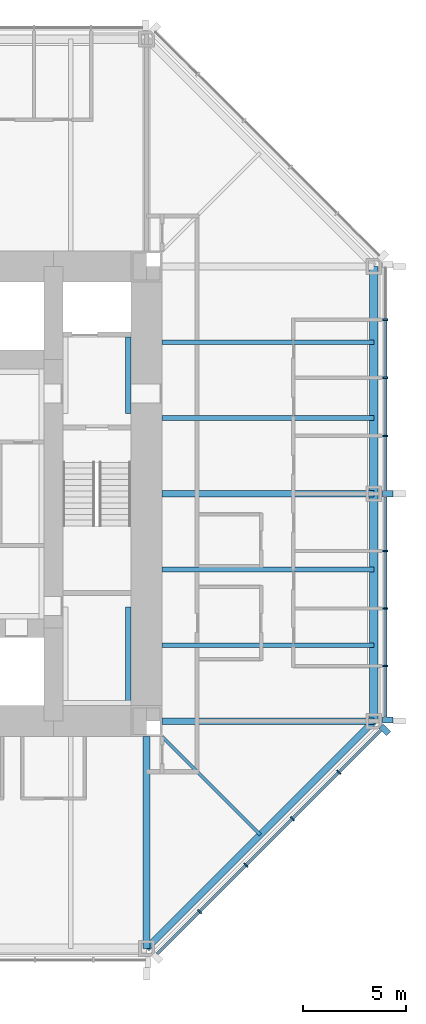
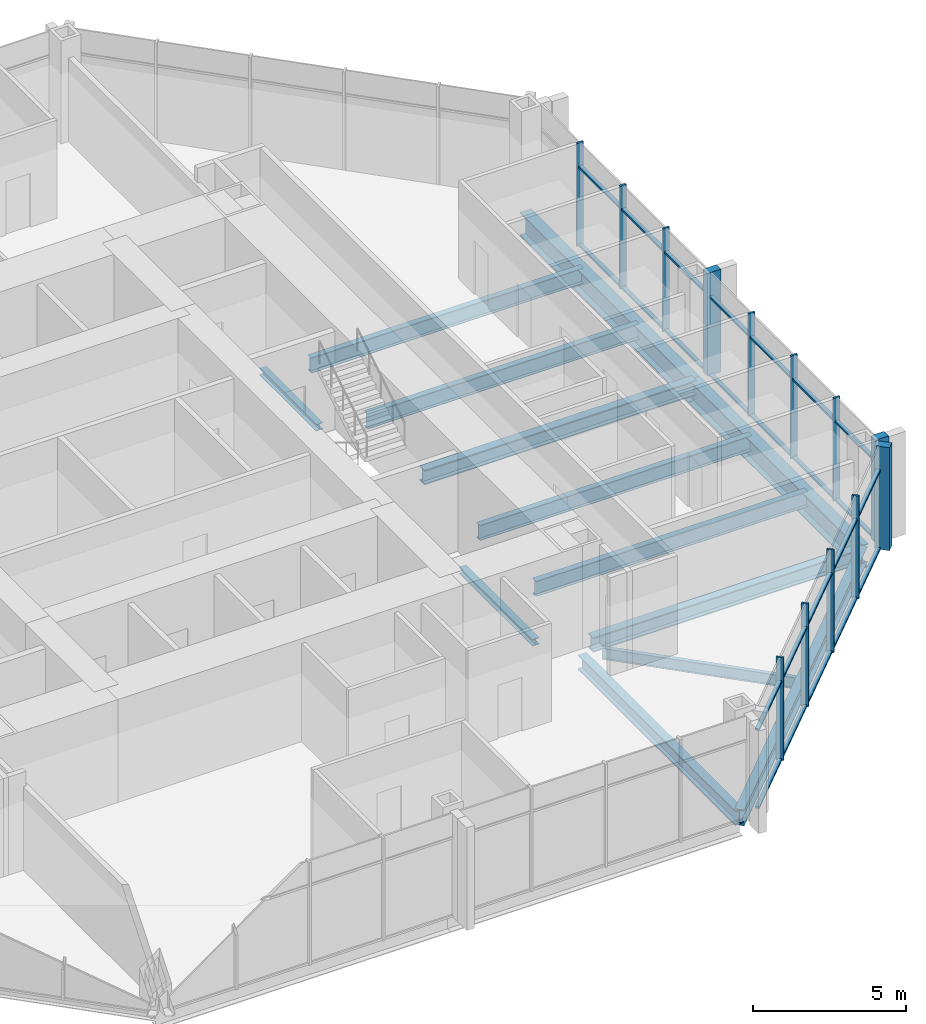
# One storey, part 4 of 14: 37 members, 13 beams, 2 elements without a shape of their own.
"""IFC4 building model written with IfcOpenShell, lengths in metres."""

from ifc_helpers import new_model, si_unit, direction, frame, origin, origin_2d, place, context, subcontext, project, spatial, rectangle, i_section, extrude, material, material_profile, profile_set, type_object, element, aggregate, save


model = new_model("IFC4")

# Units and contexts
model_context = context("Model", 3, precision=1e-05, world=origin(), true_north=direction((0.0, 1.0)))
body_context = subcontext(model_context, "Body", "Model", "MODEL_VIEW")
ifc_project = project(units=[si_unit("LENGTHUNIT", "METRE"), si_unit("AREAUNIT", "SQUARE_METRE"), si_unit("VOLUMEUNIT", "CUBIC_METRE"), si_unit("PLANEANGLEUNIT", "RADIAN"), si_unit("MASSUNIT", "GRAM", prefix="KILO")], contexts=[model_context])

# Site, building, storey
site_placement = place(None, origin())
site = spatial("IfcSite", under=ifc_project, at=site_placement, CompositionType="ELEMENT")
building_placement = place(site_placement, origin())
building = spatial("IfcBuilding", under=site, at=building_placement, Name="Trevanion Tower", CompositionType="ELEMENT")
storey_placement = place(building_placement, frame((0.0, 0.0, 100.800048828125)))
storey = spatial("IfcBuildingStorey", under=building, at=storey_placement, Name="L23", CompositionType="ELEMENT", Elevation=100.800048828125)

# Beams
ifc_material_1 = material(Name="Steel ASTM A992 Grade 50", Category="steel")
ifc_material_profile_1 = material_profile(ifc_material_1, i_section(OverallWidth=0.22900390625, OverallDepth=0.612060546875, WebThickness=0.011962890625, FlangeThickness=0.01953125, at=origin_2d()), Name="W24X84")
ifc_profile_set_1 = profile_set([ifc_material_profile_1], Name="Steel ASTM A992 Grade 50")
beam_type_1 = type_object("IfcBeamType", Name="B7 W24X84", PredefinedType="BEAM", material=ifc_profile_set_1)
for number, where, z_axis, x_axis, name in (
    (1, (11.75, -7.333251953125, -0.49609375), (1.0, 0.0, 0.0), (0.0, 1.0, 0.0), "B7 L23"),
    (2, (11.75, -3.666748046875, -0.49609375), (1.0, 0.0, 0.0), (0.0, 1.0, 0.0), "B7 L23"),
    (3, (11.75, 3.666748046875, -0.49609375), (1.0, 0.0, 0.0), (0.0, 1.0, 0.0), "B7 L23"),
    (4, (11.75, 7.333251953125, -0.49609375), (1.0, 0.0, 0.0), (0.0, 1.0, 0.0), "B7 L23"),
):
    element("IfcBeam", number, at=place(storey_placement, frame(where, z_axis=z_axis, x_axis=x_axis)), inside=storey, type_object=beam_type_1, Name=name, PredefinedType="BEAM", context=body_context, shape_type="SweptSolid", body=[
        extrude(i_section(OverallWidth=0.22900390625, OverallDepth=0.612060546875, WebThickness=0.011962890625, FlangeThickness=0.01953125, at=origin_2d()), origin(), (0.0, 0.0, 1.0), 10.25),
    ])
ifc_material_2 = material(Name="Steel ASTM A992 Grade 50", Category="steel")
ifc_material_profile_2 = material_profile(ifc_material_2, i_section(OverallWidth=0.15234375, OverallDepth=0.449462890625, WebThickness=0.007568359375, FlangeThickness=0.0107421875, at=origin_2d()), Name="W18X35")
ifc_profile_set_2 = profile_set([ifc_material_profile_2], Name="Steel ASTM A992 Grade 50")
beam_type_2 = type_object("IfcBeamType", Name="B8 W18X35", PredefinedType="BEAM", material=ifc_profile_set_2)
beam_1_placement = place(storey_placement, frame((11.75, -11.75, -0.414794921875), z_axis=(0.707106781187, -0.707106781187, 0.0), x_axis=(0.707106781187, 0.707106781187, 0.0)))
element("IfcBeam", 5, at=beam_1_placement, inside=storey, type_object=beam_type_2, Name="B8 L23", PredefinedType="BEAM", context=body_context, shape_type="SweptSolid", body=[
    extrude(i_section(OverallWidth=0.15234375, OverallDepth=0.449462890625, WebThickness=0.007568359375, FlangeThickness=0.0107421875, at=origin_2d()), origin(), (0.0, 0.0, 1.0), 6.717529296875),
])

# Curtain wall, members
ifc_material_3 = material(Name="Aluminium and glass", Category="aluminium")
curtain_wall_type = type_object("IfcCurtainWallType", Name="CW2 curtain wall", PredefinedType="USERDEFINED", material=ifc_material_3)
curtain_wall_1_placement = place(storey_placement, origin())
curtain_wall_1 = element("IfcCurtainWall", 6, at=curtain_wall_1_placement, inside=storey, type_object=curtain_wall_type, Name="CW2 L23 0", ObjectType="UNITISED CURTAIN WALL", PredefinedType="USERDEFINED")
ifc_material_4 = material(Name="Aluminium extrusion, anodised bronze", Category="aluminium")
ifc_material_profile_3 = material_profile(ifc_material_4, rectangle(XDim=0.074951171875, YDim=0.25, at=origin_2d()), Name="CW2 mullion")
ifc_profile_set_3 = profile_set([ifc_material_profile_3], Name="Aluminium extrusion, anodised bronze")
member_type_1 = type_object("IfcMemberType", Name="CW2 mullion", PredefinedType="MULLION", material=ifc_profile_set_3)
member_1_placement = place(storey_placement, frame((22.550048828125, -8.323486328125, -0.18994140625), z_axis=(0.0, 0.0, 1.0), x_axis=(0.0, 1.0, 0.0)))
member_1 = element("IfcMember", 7, at=member_1_placement, type_object=member_type_1, Name="CW2 mullion 2", PredefinedType="MULLION", context=body_context, shape_type="SweptSolid", body=[
    extrude(rectangle(XDim=0.074951171875, YDim=0.25, at=origin_2d()), origin(), (0.0, 0.0, 1.0), 4.099853515625),
])
member_2_placement = place(storey_placement, frame((22.550048828125, -5.548828125, -0.18994140625), z_axis=(0.0, 0.0, 1.0), x_axis=(0.0, 1.0, 0.0)))
member_2 = element("IfcMember", 8, at=member_2_placement, type_object=member_type_1, Name="CW2 mullion 3", PredefinedType="MULLION", context=body_context, shape_type="SweptSolid", body=[
    extrude(rectangle(XDim=0.074951171875, YDim=0.25, at=origin_2d()), origin(), (0.0, 0.0, 1.0), 4.099853515625),
])
member_3_placement = place(storey_placement, frame((22.550048828125, -2.7744140625, -0.18994140625), z_axis=(0.0, 0.0, 1.0), x_axis=(0.0, 1.0, 0.0)))
member_3 = element("IfcMember", 9, at=member_3_placement, type_object=member_type_1, Name="CW2 mullion 4", PredefinedType="MULLION", context=body_context, shape_type="SweptSolid", body=[
    extrude(rectangle(XDim=0.074951171875, YDim=0.25, at=origin_2d()), origin(), (0.0, 0.0, 1.0), 4.099853515625),
])
member_4_placement = place(storey_placement, frame((22.550048828125, 2.806884765625, -0.18994140625), z_axis=(0.0, 0.0, 1.0), x_axis=(0.0, 1.0, 0.0)))
member_4 = element("IfcMember", 10, at=member_4_placement, type_object=member_type_1, Name="CW2 mullion 6", PredefinedType="MULLION", context=body_context, shape_type="SweptSolid", body=[
    extrude(rectangle(XDim=0.074951171875, YDim=0.25, at=origin_2d()), origin(), (0.0, 0.0, 1.0), 4.099853515625),
])
member_5_placement = place(storey_placement, frame((22.550048828125, 5.614013671875, -0.18994140625), z_axis=(0.0, 0.0, 1.0), x_axis=(0.0, 1.0, 0.0)))
member_5 = element("IfcMember", 11, at=member_5_placement, type_object=member_type_1, Name="CW2 mullion 7", PredefinedType="MULLION", context=body_context, shape_type="SweptSolid", body=[
    extrude(rectangle(XDim=0.074951171875, YDim=0.25, at=origin_2d()), origin(), (0.0, 0.0, 1.0), 4.099853515625),
])
member_6_placement = place(storey_placement, frame((22.550048828125, 8.4208984375, -0.18994140625), z_axis=(0.0, 0.0, 1.0), x_axis=(0.0, 1.0, 0.0)))
member_6 = element("IfcMember", 12, at=member_6_placement, type_object=member_type_1, Name="CW2 mullion 8", PredefinedType="MULLION", context=body_context, shape_type="SweptSolid", body=[
    extrude(rectangle(XDim=0.074951171875, YDim=0.25, at=origin_2d()), origin(), (0.0, 0.0, 1.0), 4.099853515625),
])

curtain_wall_2_placement = place(storey_placement, origin())
curtain_wall_2 = element("IfcCurtainWall", 13, at=curtain_wall_2_placement, inside=storey, type_object=curtain_wall_type, Name="CW2 L23 7", ObjectType="UNITISED CURTAIN WALL", PredefinedType="USERDEFINED")
member_7_placement = place(storey_placement, frame((13.56591796875, -20.2119140625, -0.18994140625), z_axis=(0.0, 0.0, 1.0), x_axis=(0.707106781187, 0.707106781187, 0.0)))
member_7 = element("IfcMember", 14, at=member_7_placement, type_object=member_type_1, Name="CW2 mullion 2", PredefinedType="MULLION", context=body_context, shape_type="SweptSolid", body=[
    extrude(rectangle(XDim=0.074951171875, YDim=0.25, at=origin_2d()), origin(), (0.0, 0.0, 1.0), 4.099853515625),
])
member_8_placement = place(storey_placement, frame((15.811767578125, -17.966064453125, -0.18994140625), z_axis=(0.0, 0.0, 1.0), x_axis=(0.707106781187, 0.707106781187, 0.0)))
member_8 = element("IfcMember", 15, at=member_8_placement, type_object=member_type_1, Name="CW2 mullion 3", PredefinedType="MULLION", context=body_context, shape_type="SweptSolid", body=[
    extrude(rectangle(XDim=0.074951171875, YDim=0.25, at=origin_2d()), origin(), (0.0, 0.0, 1.0), 4.099853515625),
])
member_9_placement = place(storey_placement, frame((18.057861328125, -15.719970703125, -0.18994140625), z_axis=(0.0, 0.0, 1.0), x_axis=(0.707106781187, 0.707106781187, 0.0)))
member_9 = element("IfcMember", 16, at=member_9_placement, type_object=member_type_1, Name="CW2 mullion 4", PredefinedType="MULLION", context=body_context, shape_type="SweptSolid", body=[
    extrude(rectangle(XDim=0.074951171875, YDim=0.25, at=origin_2d()), origin(), (0.0, 0.0, 1.0), 4.099853515625),
])
member_10_placement = place(storey_placement, frame((20.303955078125, -13.473876953125, -0.18994140625), z_axis=(0.0, 0.0, 1.0), x_axis=(0.707106781187, 0.707106781187, 0.0)))
member_10 = element("IfcMember", 17, at=member_10_placement, type_object=member_type_1, Name="CW2 mullion 5", PredefinedType="MULLION", context=body_context, shape_type="SweptSolid", body=[
    extrude(rectangle(XDim=0.074951171875, YDim=0.25, at=origin_2d()), origin(), (0.0, 0.0, 1.0), 4.099853515625),
])

# Member
ifc_material_5 = material(Name="Aluminium extrusion, anodised bronze", Category="aluminium")
ifc_material_profile_4 = material_profile(ifc_material_5, rectangle(XDim=0.300048828125, YDim=0.5, at=origin_2d()), Name="CW2 pier mullion")
ifc_profile_set_4 = profile_set([ifc_material_profile_4], Name="Aluminium extrusion, anodised bronze")
member_type_2 = type_object("IfcMemberType", Name="CW2 pier mullion", PredefinedType="MULLION", material=ifc_profile_set_4)
member_11_placement = place(storey_placement, frame((22.675048828125, -10.94775390625, -0.18994140625), z_axis=(0.0, 0.0, 1.0), x_axis=(0.0, 1.0, 0.0)))
member_11 = element("IfcMember", 18, at=member_11_placement, type_object=member_type_2, Name="CW2 pier mullion 1", PredefinedType="MULLION", context=body_context, shape_type="SweptSolid", body=[
    extrude(rectangle(XDim=0.300048828125, YDim=0.5, at=origin_2d()), origin(), (0.0, 0.0, 1.0), 4.099853515625),
])

member_12_placement = place(storey_placement, frame((22.675048828125, 0.0, -0.18994140625), z_axis=(0.0, 0.0, 1.0), x_axis=(0.0, 1.0, 0.0)))
member_12 = element("IfcMember", 19, at=member_12_placement, type_object=member_type_2, Name="CW2 pier mullion 5", PredefinedType="MULLION", context=body_context, shape_type="SweptSolid", body=[
    extrude(rectangle(XDim=0.300048828125, YDim=0.5, at=origin_2d()), origin(), (0.0, 0.0, 1.0), 4.099853515625),
])

member_13_placement = place(storey_placement, frame((22.5322265625, -11.42236328125, -0.18994140625), z_axis=(0.0, 0.0, 1.0), x_axis=(0.707106781187, 0.707106781187, 0.0)))
member_13 = element("IfcMember", 20, at=member_13_placement, type_object=member_type_2, Name="CW2 pier mullion 6", PredefinedType="MULLION", context=body_context, shape_type="SweptSolid", body=[
    extrude(rectangle(XDim=0.300048828125, YDim=0.5, at=origin_2d()), origin(), (0.0, 0.0, 1.0), 4.099853515625),
])

ifc_material_6 = material(Name="Aluminium extrusion, anodised bronze", Category="aluminium")
ifc_material_profile_5 = material_profile(ifc_material_6, rectangle(XDim=0.14990234375, YDim=0.074951171875, at=origin_2d()), Name="CW2 transom")
ifc_profile_set_5 = profile_set([ifc_material_profile_5], Name="Aluminium extrusion, anodised bronze")
member_type_3 = type_object("IfcMemberType", Name="CW2 transom", PredefinedType="USERDEFINED", material=ifc_profile_set_5)
member_14_placement = place(storey_placement, frame((22.550048828125, -10.7978515625, -0.152587890625), z_axis=(0.0, 1.0, 0.0), x_axis=(-1.0, 0.0, 0.0)))
member_14 = element("IfcMember", 21, at=member_14_placement, type_object=member_type_3, Name="CW2 transom 1.1", ObjectType="TRANSOM", PredefinedType="USERDEFINED", context=body_context, shape_type="SweptSolid", body=[
    extrude(rectangle(XDim=0.14990234375, YDim=0.074951171875, at=origin_2d()), origin(), (0.0, 0.0, 1.0), 2.43701171875),
])

member_15_placement = place(storey_placement, frame((22.550048828125, -10.7978515625, 2.9599609375), z_axis=(0.0, 1.0, 0.0), x_axis=(-1.0, 0.0, 0.0)))
member_15 = element("IfcMember", 22, at=member_15_placement, type_object=member_type_3, Name="CW2 transom 1.2", ObjectType="TRANSOM", PredefinedType="USERDEFINED", context=body_context, shape_type="SweptSolid", body=[
    extrude(rectangle(XDim=0.14990234375, YDim=0.074951171875, at=origin_2d()), origin(), (0.0, 0.0, 1.0), 2.43701171875),
])

member_16_placement = place(storey_placement, frame((22.550048828125, -8.285888671875, -0.152587890625), z_axis=(0.0, 1.0, 0.0), x_axis=(-1.0, 0.0, 0.0)))
member_16 = element("IfcMember", 23, at=member_16_placement, type_object=member_type_3, Name="CW2 transom 2.1", ObjectType="TRANSOM", PredefinedType="USERDEFINED", context=body_context, shape_type="SweptSolid", body=[
    extrude(rectangle(XDim=0.14990234375, YDim=0.074951171875, at=origin_2d()), origin(), (0.0, 0.0, 1.0), 2.699462890625),
])

member_17_placement = place(storey_placement, frame((22.550048828125, -8.285888671875, 2.9599609375), z_axis=(0.0, 1.0, 0.0), x_axis=(-1.0, 0.0, 0.0)))
member_17 = element("IfcMember", 24, at=member_17_placement, type_object=member_type_3, Name="CW2 transom 2.2", ObjectType="TRANSOM", PredefinedType="USERDEFINED", context=body_context, shape_type="SweptSolid", body=[
    extrude(rectangle(XDim=0.14990234375, YDim=0.074951171875, at=origin_2d()), origin(), (0.0, 0.0, 1.0), 2.699462890625),
])

member_18_placement = place(storey_placement, frame((22.550048828125, -5.511474609375, -0.152587890625), z_axis=(0.0, 1.0, 0.0), x_axis=(-1.0, 0.0, 0.0)))
member_18 = element("IfcMember", 25, at=member_18_placement, type_object=member_type_3, Name="CW2 transom 3.1", ObjectType="TRANSOM", PredefinedType="USERDEFINED", context=body_context, shape_type="SweptSolid", body=[
    extrude(rectangle(XDim=0.14990234375, YDim=0.074951171875, at=origin_2d()), origin(), (0.0, 0.0, 1.0), 2.699462890625),
])

member_19_placement = place(storey_placement, frame((22.550048828125, -5.511474609375, 2.9599609375), z_axis=(0.0, 1.0, 0.0), x_axis=(-1.0, 0.0, 0.0)))
member_19 = element("IfcMember", 26, at=member_19_placement, type_object=member_type_3, Name="CW2 transom 3.2", ObjectType="TRANSOM", PredefinedType="USERDEFINED", context=body_context, shape_type="SweptSolid", body=[
    extrude(rectangle(XDim=0.14990234375, YDim=0.074951171875, at=origin_2d()), origin(), (0.0, 0.0, 1.0), 2.699462890625),
])

member_20_placement = place(storey_placement, frame((22.550048828125, -2.737060546875, -0.152587890625), z_axis=(0.0, 1.0, 0.0), x_axis=(-1.0, 0.0, 0.0)))
member_20 = element("IfcMember", 27, at=member_20_placement, type_object=member_type_3, Name="CW2 transom 4.1", ObjectType="TRANSOM", PredefinedType="USERDEFINED", context=body_context, shape_type="SweptSolid", body=[
    extrude(rectangle(XDim=0.14990234375, YDim=0.074951171875, at=origin_2d()), origin(), (0.0, 0.0, 1.0), 2.587158203125),
])

member_21_placement = place(storey_placement, frame((22.550048828125, -2.737060546875, 2.9599609375), z_axis=(0.0, 1.0, 0.0), x_axis=(-1.0, 0.0, 0.0)))
member_21 = element("IfcMember", 28, at=member_21_placement, type_object=member_type_3, Name="CW2 transom 4.2", ObjectType="TRANSOM", PredefinedType="USERDEFINED", context=body_context, shape_type="SweptSolid", body=[
    extrude(rectangle(XDim=0.14990234375, YDim=0.074951171875, at=origin_2d()), origin(), (0.0, 0.0, 1.0), 2.587158203125),
])

member_22_placement = place(storey_placement, frame((22.550048828125, 0.14990234375, -0.152587890625), z_axis=(0.0, 1.0, 0.0), x_axis=(-1.0, 0.0, 0.0)))
member_22 = element("IfcMember", 29, at=member_22_placement, type_object=member_type_3, Name="CW2 transom 5.1", ObjectType="TRANSOM", PredefinedType="USERDEFINED", context=body_context, shape_type="SweptSolid", body=[
    extrude(rectangle(XDim=0.14990234375, YDim=0.074951171875, at=origin_2d()), origin(), (0.0, 0.0, 1.0), 2.619384765625),
])

member_23_placement = place(storey_placement, frame((22.550048828125, 0.14990234375, 2.9599609375), z_axis=(0.0, 1.0, 0.0), x_axis=(-1.0, 0.0, 0.0)))
member_23 = element("IfcMember", 30, at=member_23_placement, type_object=member_type_3, Name="CW2 transom 5.2", ObjectType="TRANSOM", PredefinedType="USERDEFINED", context=body_context, shape_type="SweptSolid", body=[
    extrude(rectangle(XDim=0.14990234375, YDim=0.074951171875, at=origin_2d()), origin(), (0.0, 0.0, 1.0), 2.619384765625),
])

member_24_placement = place(storey_placement, frame((22.550048828125, 2.844482421875, -0.152587890625), z_axis=(0.0, 1.0, 0.0), x_axis=(-1.0, 0.0, 0.0)))
member_24 = element("IfcMember", 31, at=member_24_placement, type_object=member_type_3, Name="CW2 transom 6.1", ObjectType="TRANSOM", PredefinedType="USERDEFINED", context=body_context, shape_type="SweptSolid", body=[
    extrude(rectangle(XDim=0.14990234375, YDim=0.074951171875, at=origin_2d()), origin(), (0.0, 0.0, 1.0), 2.73193359375),
])

member_25_placement = place(storey_placement, frame((22.550048828125, 2.844482421875, 2.9599609375), z_axis=(0.0, 1.0, 0.0), x_axis=(-1.0, 0.0, 0.0)))
member_25 = element("IfcMember", 32, at=member_25_placement, type_object=member_type_3, Name="CW2 transom 6.2", ObjectType="TRANSOM", PredefinedType="USERDEFINED", context=body_context, shape_type="SweptSolid", body=[
    extrude(rectangle(XDim=0.14990234375, YDim=0.074951171875, at=origin_2d()), origin(), (0.0, 0.0, 1.0), 2.73193359375),
])

member_26_placement = place(storey_placement, frame((22.550048828125, 5.6513671875, -0.152587890625), z_axis=(0.0, 1.0, 0.0), x_axis=(-1.0, 0.0, 0.0)))
member_26 = element("IfcMember", 33, at=member_26_placement, type_object=member_type_3, Name="CW2 transom 7.1", ObjectType="TRANSOM", PredefinedType="USERDEFINED", context=body_context, shape_type="SweptSolid", body=[
    extrude(rectangle(XDim=0.14990234375, YDim=0.074951171875, at=origin_2d()), origin(), (0.0, 0.0, 1.0), 2.73193359375),
])

member_27_placement = place(storey_placement, frame((22.550048828125, 5.6513671875, 2.9599609375), z_axis=(0.0, 1.0, 0.0), x_axis=(-1.0, 0.0, 0.0)))
member_27 = element("IfcMember", 34, at=member_27_placement, type_object=member_type_3, Name="CW2 transom 7.2", ObjectType="TRANSOM", PredefinedType="USERDEFINED", context=body_context, shape_type="SweptSolid", body=[
    extrude(rectangle(XDim=0.14990234375, YDim=0.074951171875, at=origin_2d()), origin(), (0.0, 0.0, 1.0), 2.73193359375),
])

aggregate(curtain_wall_1, [member_11, member_1, member_2, member_3, member_12, member_4, member_5, member_6, member_14, member_15, member_16, member_17, member_18, member_19, member_20, member_21, member_22, member_23, member_24, member_25, member_26, member_27])

member_28_placement = place(storey_placement, frame((11.531982421875, -22.245849609375, -0.152587890625), z_axis=(0.707106781187, 0.707106781187, 0.0), x_axis=(-0.707106781187, 0.707106781187, 0.0)))
member_28 = element("IfcMember", 35, at=member_28_placement, type_object=member_type_3, Name="CW2 transom 1.1", ObjectType="TRANSOM", PredefinedType="USERDEFINED", context=body_context, shape_type="SweptSolid", body=[
    extrude(rectangle(XDim=0.14990234375, YDim=0.074951171875, at=origin_2d()), origin(), (0.0, 0.0, 1.0), 2.8388671875),
])

member_29_placement = place(storey_placement, frame((11.531982421875, -22.245849609375, 2.9599609375), z_axis=(0.707106781187, 0.707106781187, 0.0), x_axis=(-0.707106781187, 0.707106781187, 0.0)))
member_29 = element("IfcMember", 36, at=member_29_placement, type_object=member_type_3, Name="CW2 transom 1.2", ObjectType="TRANSOM", PredefinedType="USERDEFINED", context=body_context, shape_type="SweptSolid", body=[
    extrude(rectangle(XDim=0.14990234375, YDim=0.074951171875, at=origin_2d()), origin(), (0.0, 0.0, 1.0), 2.8388671875),
])

member_30_placement = place(storey_placement, frame((13.59228515625, -20.185546875, -0.152587890625), z_axis=(0.707106781187, 0.707106781187, 0.0), x_axis=(-0.707106781187, 0.707106781187, 0.0)))
member_30 = element("IfcMember", 37, at=member_30_placement, type_object=member_type_3, Name="CW2 transom 2.1", ObjectType="TRANSOM", PredefinedType="USERDEFINED", context=body_context, shape_type="SweptSolid", body=[
    extrude(rectangle(XDim=0.14990234375, YDim=0.074951171875, at=origin_2d()), origin(), (0.0, 0.0, 1.0), 3.1015625),
])

member_31_placement = place(storey_placement, frame((13.59228515625, -20.185546875, 2.9599609375), z_axis=(0.707106781187, 0.707106781187, 0.0), x_axis=(-0.707106781187, 0.707106781187, 0.0)))
member_31 = element("IfcMember", 38, at=member_31_placement, type_object=member_type_3, Name="CW2 transom 2.2", ObjectType="TRANSOM", PredefinedType="USERDEFINED", context=body_context, shape_type="SweptSolid", body=[
    extrude(rectangle(XDim=0.14990234375, YDim=0.074951171875, at=origin_2d()), origin(), (0.0, 0.0, 1.0), 3.1015625),
])

member_32_placement = place(storey_placement, frame((15.83837890625, -17.939453125, -0.152587890625), z_axis=(0.707106781187, 0.707106781187, 0.0), x_axis=(-0.707106781187, 0.707106781187, 0.0)))
member_32 = element("IfcMember", 39, at=member_32_placement, type_object=member_type_3, Name="CW2 transom 3.1", ObjectType="TRANSOM", PredefinedType="USERDEFINED", context=body_context, shape_type="SweptSolid", body=[
    extrude(rectangle(XDim=0.14990234375, YDim=0.074951171875, at=origin_2d()), origin(), (0.0, 0.0, 1.0), 3.1015625),
])

member_33_placement = place(storey_placement, frame((15.83837890625, -17.939453125, 2.9599609375), z_axis=(0.707106781187, 0.707106781187, 0.0), x_axis=(-0.707106781187, 0.707106781187, 0.0)))
member_33 = element("IfcMember", 40, at=member_33_placement, type_object=member_type_3, Name="CW2 transom 3.2", ObjectType="TRANSOM", PredefinedType="USERDEFINED", context=body_context, shape_type="SweptSolid", body=[
    extrude(rectangle(XDim=0.14990234375, YDim=0.074951171875, at=origin_2d()), origin(), (0.0, 0.0, 1.0), 3.1015625),
])

member_34_placement = place(storey_placement, frame((18.08447265625, -15.693359375, -0.152587890625), z_axis=(0.707106781187, 0.707106781187, 0.0), x_axis=(-0.707106781187, 0.707106781187, 0.0)))
member_34 = element("IfcMember", 41, at=member_34_placement, type_object=member_type_3, Name="CW2 transom 4.1", ObjectType="TRANSOM", PredefinedType="USERDEFINED", context=body_context, shape_type="SweptSolid", body=[
    extrude(rectangle(XDim=0.14990234375, YDim=0.074951171875, at=origin_2d()), origin(), (0.0, 0.0, 1.0), 3.10107421875),
])

member_35_placement = place(storey_placement, frame((18.08447265625, -15.693359375, 2.9599609375), z_axis=(0.707106781187, 0.707106781187, 0.0), x_axis=(-0.707106781187, 0.707106781187, 0.0)))
member_35 = element("IfcMember", 42, at=member_35_placement, type_object=member_type_3, Name="CW2 transom 4.2", ObjectType="TRANSOM", PredefinedType="USERDEFINED", context=body_context, shape_type="SweptSolid", body=[
    extrude(rectangle(XDim=0.14990234375, YDim=0.074951171875, at=origin_2d()), origin(), (0.0, 0.0, 1.0), 3.10107421875),
])

member_36_placement = place(storey_placement, frame((20.33056640625, -13.447509765625, -0.152587890625), z_axis=(0.707063781595, 0.707149778163, 0.0), x_axis=(-0.707149778163, 0.707063781595, 0.0)))
member_36 = element("IfcMember", 43, at=member_36_placement, type_object=member_type_3, Name="CW2 transom 5.1", ObjectType="TRANSOM", PredefinedType="USERDEFINED", context=body_context, shape_type="SweptSolid", body=[
    extrude(rectangle(XDim=0.14990234375, YDim=0.074951171875, at=origin_2d()), origin(), (0.0, 0.0, 1.0), 2.8388671875),
])

member_37_placement = place(storey_placement, frame((20.33056640625, -13.447509765625, 2.9599609375), z_axis=(0.707063781595, 0.707149778163, 0.0), x_axis=(-0.707149778163, 0.707063781595, 0.0)))
member_37 = element("IfcMember", 44, at=member_37_placement, type_object=member_type_3, Name="CW2 transom 5.2", ObjectType="TRANSOM", PredefinedType="USERDEFINED", context=body_context, shape_type="SweptSolid", body=[
    extrude(rectangle(XDim=0.14990234375, YDim=0.074951171875, at=origin_2d()), origin(), (0.0, 0.0, 1.0), 2.8388671875),
])

aggregate(curtain_wall_2, [member_7, member_8, member_9, member_10, member_13, member_28, member_29, member_30, member_31, member_32, member_33, member_34, member_35, member_36, member_37])

# Beams
ifc_material_7 = material(Name="Steel ASTM A992 Grade 50", Category="steel")
ifc_material_profile_6 = material_profile(ifc_material_7, i_section(OverallWidth=0.320068359375, OverallDepth=0.584228515625, WebThickness=0.023193359375, FlangeThickness=0.04150390625, at=origin_2d()), Name="W21X201")
ifc_profile_set_6 = profile_set([ifc_material_profile_6], Name="Steel ASTM A992 Grade 50")
beam_type_3 = type_object("IfcBeamType", Name="G4 W21X201", PredefinedType="BEAM", material=ifc_profile_set_6)
for number, where, z_axis, x_axis, name in (
    (45, (11.75, -11.0, -0.482177734375), (1.0, 0.0, 0.0), (0.0, 1.0, 0.0), "G4 L23"),
    (46, (11.75, 0.0, -0.482177734375), (1.0, 0.0, 0.0), (0.0, 1.0, 0.0), "G4 L23"),
    (47, (11.0, -11.75, -0.482177734375), (0.0, -1.0, 0.0), (1.0, 0.0, 0.0), "G4 L23"),
):
    element("IfcBeam", number, at=place(storey_placement, frame(where, z_axis=z_axis, x_axis=x_axis)), inside=storey, type_object=beam_type_3, Name=name, PredefinedType="BEAM", context=body_context, shape_type="SweptSolid", body=[
        extrude(i_section(OverallWidth=0.320068359375, OverallDepth=0.584228515625, WebThickness=0.023193359375, FlangeThickness=0.04150390625, at=origin_2d()), origin(), (0.0, 0.0, 1.0), 10.25),
    ])
ifc_material_8 = material(Name="Steel ASTM A992 Grade 50", Category="steel")
ifc_material_profile_7 = material_profile(ifc_material_8, i_section(OverallWidth=0.256591796875, OverallDepth=0.26416015625, WebThickness=0.011962890625, FlangeThickness=0.01953125, at=origin_2d()), Name="W10X68")
ifc_profile_set_7 = profile_set([ifc_material_profile_7], Name="Steel ASTM A992 Grade 50")
beam_type_4 = type_object("IfcBeamType", Name="LB1 W10X68", PredefinedType="BEAM", material=ifc_profile_set_7)
beam_2_placement = place(storey_placement, frame((10.12158203125, 3.875, -0.33203125), z_axis=(0.0, 1.0, 0.0), x_axis=(-1.0, 0.0, 0.0)))
element("IfcBeam", 48, at=beam_2_placement, inside=storey, type_object=beam_type_4, Name="LB1 L23", PredefinedType="BEAM", context=body_context, shape_type="SweptSolid", body=[
    extrude(i_section(OverallWidth=0.256591796875, OverallDepth=0.26416015625, WebThickness=0.011962890625, FlangeThickness=0.01953125, at=origin_2d()), origin(), (0.0, 0.0, 1.0), 3.699951171875),
])
beam_3_placement = place(storey_placement, frame((10.12158203125, -10.25, -0.33203125), z_axis=(0.0, 1.0, 0.0), x_axis=(-1.0, 0.0, 0.0)))
element("IfcBeam", 49, at=beam_3_placement, inside=storey, type_object=beam_type_4, Name="LB1 L23", PredefinedType="BEAM", context=body_context, shape_type="SweptSolid", body=[
    extrude(i_section(OverallWidth=0.256591796875, OverallDepth=0.26416015625, WebThickness=0.011962890625, FlangeThickness=0.01953125, at=origin_2d()), origin(), (0.0, 0.0, 1.0), 4.77490234375),
])
ifc_material_9 = material(Name="Steel ASTM A992 Grade 50", Category="steel")
ifc_material_profile_8 = material_profile(ifc_material_9, i_section(OverallWidth=0.419189453125, OverallDepth=0.927001953125, WebThickness=0.019287109375, FlangeThickness=0.031982421875, at=origin_2d()), Name="W36X231")
ifc_profile_set_8 = profile_set([ifc_material_profile_8], Name="Steel ASTM A992 Grade 50")
beam_type_5 = type_object("IfcBeamType", Name="SB4 W36X231", PredefinedType="SPANDREL", material=ifc_profile_set_8)
for number, where, z_axis, x_axis, name in (
    (50, (22.0, -11.0, -0.653564453125), (0.0, 1.0, 0.0), (-1.0, 0.0, 0.0), "SB4 L23"),
    (51, (22.0, 0.0, -0.653564453125), (0.0, 1.0, 0.0), (-1.0, 0.0, 0.0), "SB4 L23"),
):
    element("IfcBeam", number, at=place(storey_placement, frame(where, z_axis=z_axis, x_axis=x_axis)), inside=storey, type_object=beam_type_5, Name=name, PredefinedType="SPANDREL", context=body_context, shape_type="SweptSolid", body=[
        extrude(i_section(OverallWidth=0.419189453125, OverallDepth=0.927001953125, WebThickness=0.019287109375, FlangeThickness=0.031982421875, at=origin_2d()), origin(), (0.0, 0.0, 1.0), 11.0),
    ])
ifc_material_10 = material(Name="Steel ASTM A992 Grade 50", Category="steel")
ifc_material_profile_9 = material_profile(ifc_material_10, i_section(OverallWidth=0.32763671875, OverallDepth=0.62744140625, WebThickness=0.0166015625, FlangeThickness=0.027587890625, at=origin_2d()), Name="W24X146")
ifc_profile_set_9 = profile_set([ifc_material_profile_9], Name="Steel ASTM A992 Grade 50")
beam_type_6 = type_object("IfcBeamType", Name="SB5 W24X146", PredefinedType="SPANDREL", material=ifc_profile_set_9)
beam_4_placement = place(storey_placement, frame((11.0, -22.0, -0.503662109375), z_axis=(0.707106781187, 0.707106781187, 0.0), x_axis=(-0.707106781187, 0.707106781187, 0.0)))
element("IfcBeam", 52, at=beam_4_placement, inside=storey, type_object=beam_type_6, Name="SB5 L23", PredefinedType="SPANDREL", context=body_context, shape_type="SweptSolid", body=[
    extrude(i_section(OverallWidth=0.32763671875, OverallDepth=0.62744140625, WebThickness=0.0166015625, FlangeThickness=0.027587890625, at=origin_2d()), origin(), (0.0, 0.0, 1.0), 15.556396484375),
])

save(model, "model.ifc")
